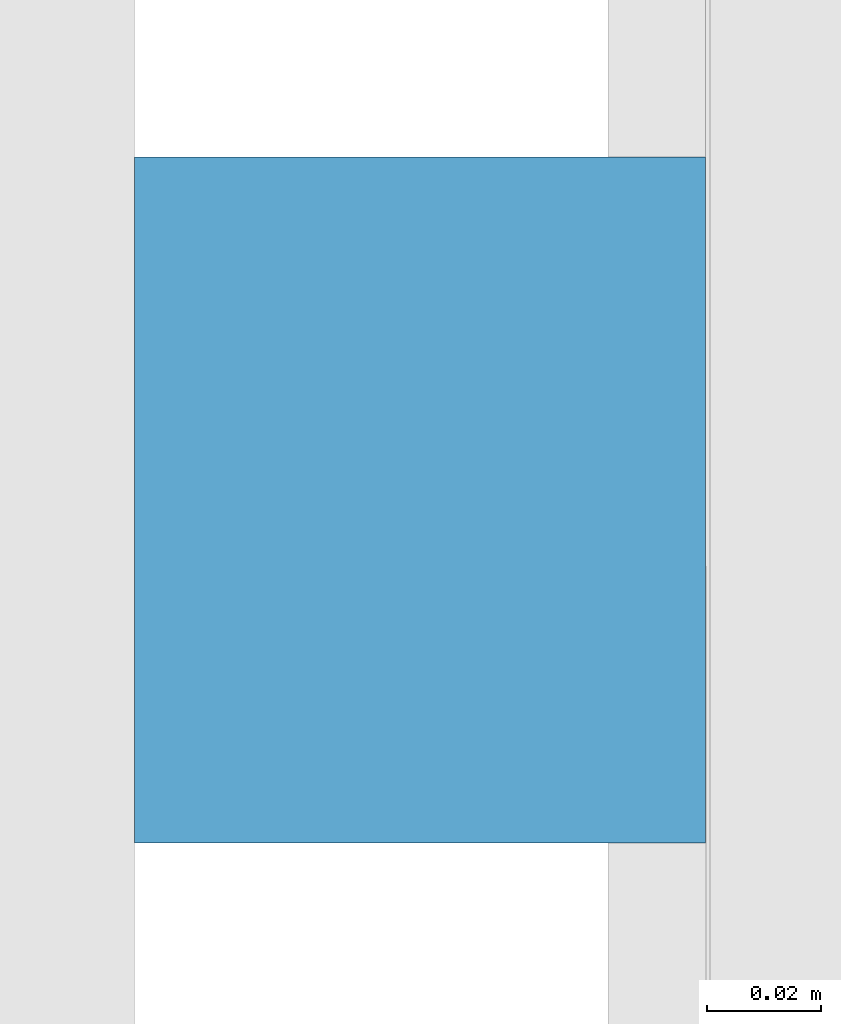
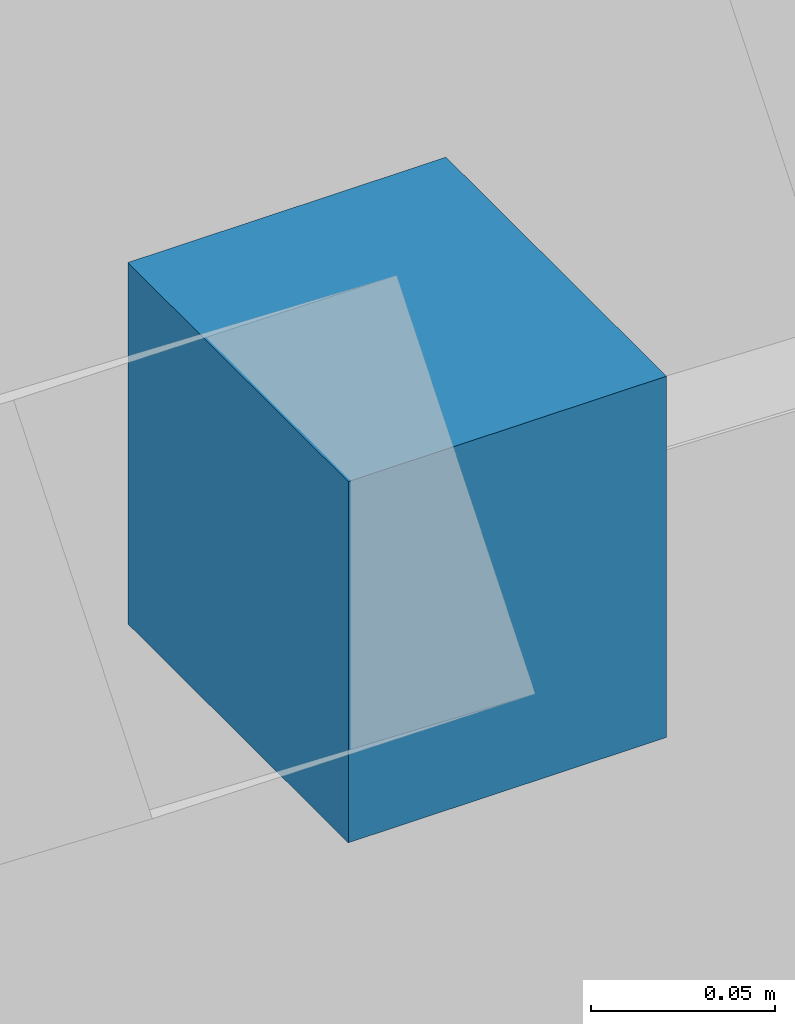
# One storey, part 26 of 29: 1 discrete accessory.
"""IFC4 building model written with IfcOpenShell, lengths in metres."""

from ifc_helpers import new_model, si_unit, direction, frame, origin, origin_2d, place, context, subcontext, project, spatial, rectangle, extrude, material, type_object, element, save


model = new_model("IFC4")

# Units and contexts
model_context = context("Model", 3, precision=1e-05, world=origin(), true_north=direction((0.0, 1.0)))
body_context = subcontext(model_context, "Body", "Model", "MODEL_VIEW")
ifc_project = project(units=[si_unit("LENGTHUNIT", "METRE"), si_unit("AREAUNIT", "SQUARE_METRE"), si_unit("VOLUMEUNIT", "CUBIC_METRE"), si_unit("PLANEANGLEUNIT", "RADIAN"), si_unit("MASSUNIT", "GRAM", prefix="KILO")], contexts=[model_context])

# Site, building, storey
site_placement = place(None, origin())
site = spatial("IfcSite", under=ifc_project, at=site_placement, CompositionType="ELEMENT")
building_placement = place(site_placement, origin())
building = spatial("IfcBuilding", under=site, at=building_placement, Name="Crosswind Convention Tower", CompositionType="ELEMENT")
storey_placement = place(building_placement, frame((0.0, 0.0, 57.199951171875)))
storey = spatial("IfcBuildingStorey", under=building, at=storey_placement, Name="L08", CompositionType="ELEMENT", Elevation=57.199951171875)

# Discrete accessory
ifc_material = material(Name="Stainless steel", Category="steel")
discrete_accessory_type = type_object("IfcDiscreteAccessoryType", Name="BAGUETTE BRACKET BK2", PredefinedType="BRACKET", material=ifc_material)
discrete_accessory_placement = place(storey_placement, frame((88.092041015625, 110.333740234375, 1.4775390625), z_axis=(0.0, 0.0, 1.0), x_axis=(0.0, -1.0, 0.0)))
element("IfcDiscreteAccessory", 1, at=discrete_accessory_placement, inside=storey, type_object=discrete_accessory_type, Name="BK2 baguette bracket", PredefinedType="BRACKET", context=body_context, shape_type="SweptSolid", body=[
    extrude(rectangle(XDim=0.1201171875, YDim=0.10009765625, at=origin_2d()), origin(), (0.0, 0.0, 1.0), 0.1201171875),
])

save(model, "model.ifc")
